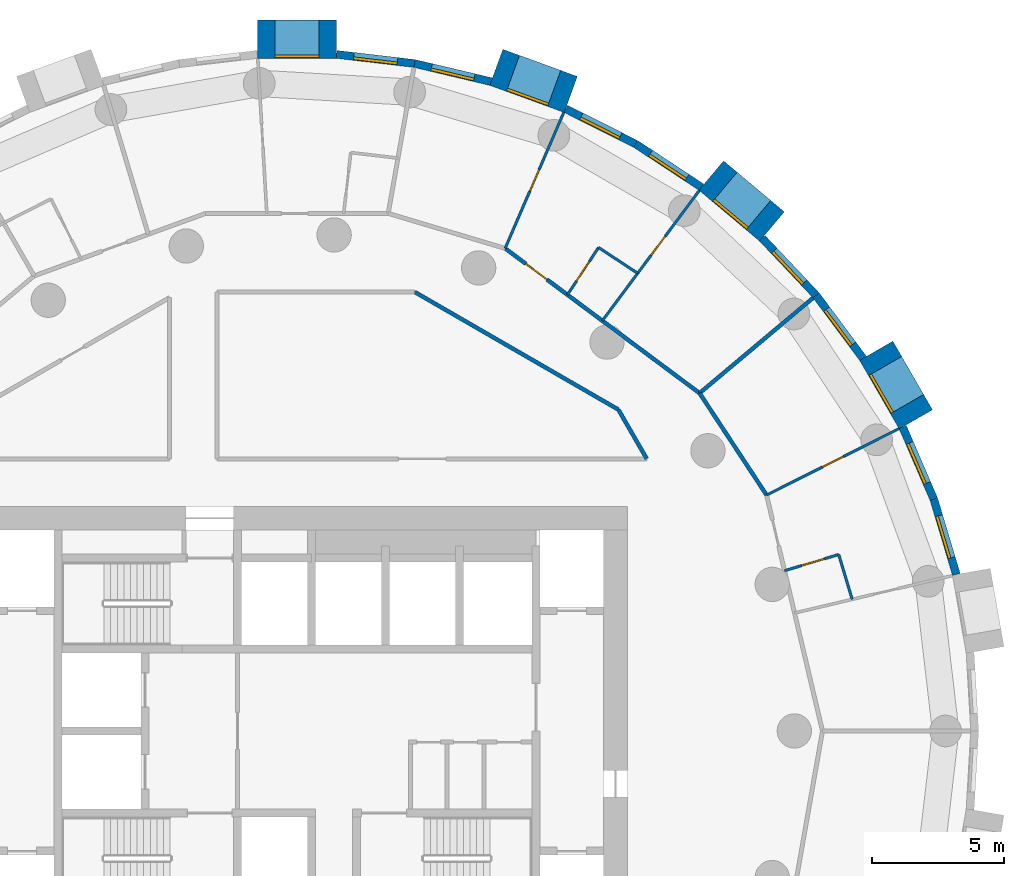
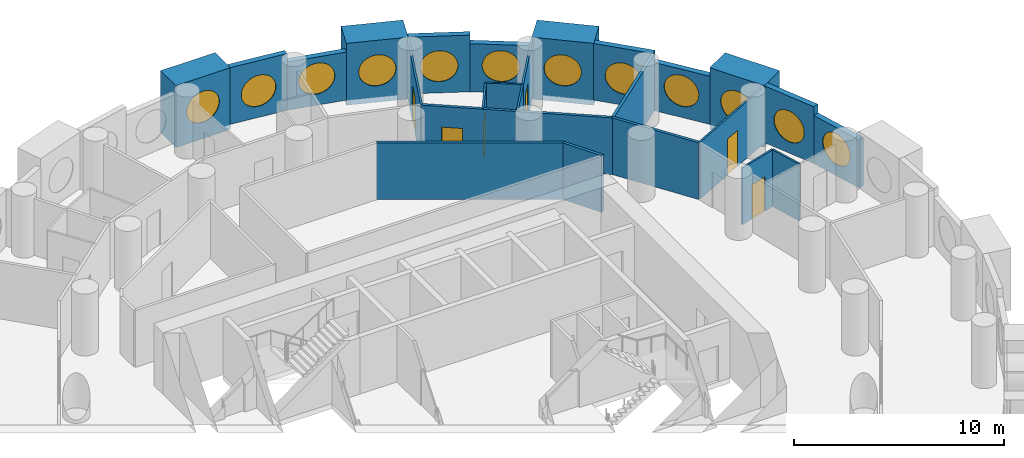
# One storey, part 7 of 9: 25 walls, 12 windows, 6 doors, 18 openings.
"""IFC4 building model written with IfcOpenShell, lengths in metres."""

from ifc_helpers import new_model, si_unit, direction, frame, frame_2d, origin, origin_2d, place, context, subcontext, project, spatial, rectangle, circle, extrude, material, layer, layer_set, type_object, element, fill, save


model = new_model("IFC4")

# Units and contexts
model_context = context("Model", 3, precision=1e-05, world=origin(), true_north=direction((0.0, 1.0)))
body_context = subcontext(model_context, "Body", "Model", "MODEL_VIEW")
ifc_project = project(units=[si_unit("LENGTHUNIT", "METRE"), si_unit("AREAUNIT", "SQUARE_METRE"), si_unit("VOLUMEUNIT", "CUBIC_METRE"), si_unit("PLANEANGLEUNIT", "RADIAN"), si_unit("MASSUNIT", "GRAM", prefix="KILO")], contexts=[model_context])

# Site, building, storey
site_placement = place(None, origin())
site = spatial("IfcSite", under=ifc_project, at=site_placement, CompositionType="ELEMENT")
building_placement = place(site_placement, origin())
building = spatial("IfcBuilding", under=site, at=building_placement, Name="Tracery Tower", CompositionType="ELEMENT")
storey_placement = place(building_placement, frame((0.0, 0.0, 172.800048828125)))
storey = spatial("IfcBuildingStorey", under=building, at=storey_placement, Name="L44", CompositionType="ELEMENT", Elevation=172.800048828125)

# Wall, opening, window
ifc_material_1 = material(Name="Precast concrete C50/60", Category="concrete")
ifc_layer_1 = layer(ifc_material_1, 1.449951171875)
ifc_layer_set_1 = layer_set([ifc_layer_1], Name="Deep-set bay unit 3000 x 3600, slab edge 300")
wall_type_1 = type_object("IfcWallType", Name="Deep-set bay unit 3000 x 3600, slab edge 300", PredefinedType="ELEMENTEDWALL", material=ifc_layer_set_1)
wall_1_placement = place(storey_placement, frame((23.421630859375, 11.79052734375, -0.300048828125), z_axis=(0.0, 0.0, 1.0), x_axis=(-0.499990139034, 0.866031096941, 0.0)))
wall_1 = element("IfcWall", 1, at=wall_1_placement, inside=storey, type_object=wall_type_1, Name="Deep-set bay unit 5 at L44", PredefinedType="ELEMENTEDWALL", context=body_context, shape_type="SweptSolid", body=[
    extrude(rectangle(XDim=3.0, YDim=1.449951171875, at=frame_2d((1.5, 0.0))), origin(), (0.0, 0.0, 1.0), 3.60009765625),
])
opening_1_placement = place(wall_1_placement, frame((1.5, 0.0, 1.85009765625)))
opening_1 = element("IfcOpeningElement", 2, at=opening_1_placement, cuts=wall_1, Name="Opening WN1", PredefinedType="OPENING", context=body_context, shape_type="SweptSolid", body=[
    extrude(circle(Radius=0.9000244140625, at=origin_2d()), frame((0.0, 0.73486328125, 0.0), z_axis=(0.0, -1.0, 0.0), x_axis=(1.0, 0.0, 0.0)), (0.0, 0.0, 1.0), 1.469970703125),
])
ifc_material_2 = material(Name="Aluminium frame with tinted double glazing", Category="aluminium")
window_type = type_object("IfcWindowType", Name="Round window 1800", PartitioningType="SINGLE_PANEL", PredefinedType="WINDOW", material=ifc_material_2)
window_1_placement = place(opening_1_placement, origin())
window_1 = element("IfcWindow", 3, at=window_1_placement, inside=storey, type_object=window_type, Name="Round window 5 at L44", OverallHeight=1.800048828125, OverallWidth=1.800048828125, PartitioningType="SINGLE_PANEL", PredefinedType="WINDOW", context=body_context, shape_type="SweptSolid", body=[
    extrude(circle(Radius=0.9000244140625, at=origin_2d()), frame((0.0, 0.69482421875, 0.0), z_axis=(0.0, -1.0, 0.0), x_axis=(1.0, 0.0, 0.0)), (0.0, 0.0, 1.0), 0.10009765625),
])
fill(opening_1, window_1)

wall_2_placement = place(storey_placement, frame((17.9765625, 19.090087890625, -0.300048828125), z_axis=(0.0, 0.0, 1.0), x_axis=(-0.766022196139, 0.642814121673, 0.0)))
wall_2 = element("IfcWall", 4, at=wall_2_placement, inside=storey, type_object=wall_type_1, Name="Deep-set bay unit 8 at L44", PredefinedType="ELEMENTEDWALL", context=body_context, shape_type="SweptSolid", body=[
    extrude(rectangle(XDim=3.0, YDim=1.449951171875, at=frame_2d((1.5, 0.0))), origin(), (0.0, 0.0, 1.0), 3.60009765625),
])
opening_2_placement = place(wall_2_placement, frame((1.5, 0.0, 1.85009765625)))
opening_2 = element("IfcOpeningElement", 5, at=opening_2_placement, cuts=wall_2, Name="Opening WN1", PredefinedType="OPENING", context=body_context, shape_type="SweptSolid", body=[
    extrude(circle(Radius=0.9000244140625, at=origin_2d()), frame((0.0, 0.73486328125, 0.0), z_axis=(0.0, -1.0, 0.0), x_axis=(1.0, 0.0, 0.0)), (0.0, 0.0, 1.0), 1.469970703125),
])
window_2_placement = place(opening_2_placement, origin())
window_2 = element("IfcWindow", 6, at=window_2_placement, inside=storey, type_object=window_type, Name="Round window 8 at L44", OverallHeight=1.800048828125, OverallWidth=1.800048828125, PartitioningType="SINGLE_PANEL", PredefinedType="WINDOW", context=body_context, shape_type="SweptSolid", body=[
    extrude(circle(Radius=0.9000244140625, at=origin_2d()), frame((0.0, 0.69482421875, 0.0), z_axis=(0.0, -1.0, 0.0), x_axis=(1.0, 0.0, 0.0)), (0.0, 0.0, 1.0), 0.10009765625),
])
fill(opening_2, window_2)

wall_3_placement = place(storey_placement, frame((10.36328125, 24.087158203125, -0.300048828125), z_axis=(0.0, 0.0, 1.0), x_axis=(-0.939686455819, 0.342037080957, 0.0)))
wall_3 = element("IfcWall", 7, at=wall_3_placement, inside=storey, type_object=wall_type_1, Name="Deep-set bay unit 11 at L44", PredefinedType="ELEMENTEDWALL", context=body_context, shape_type="SweptSolid", body=[
    extrude(rectangle(XDim=3.0, YDim=1.449951171875, at=frame_2d((1.5, 0.0))), origin(), (0.0, 0.0, 1.0), 3.60009765625),
])
opening_3_placement = place(wall_3_placement, frame((1.5, 0.0, 1.85009765625)))
opening_3 = element("IfcOpeningElement", 8, at=opening_3_placement, cuts=wall_3, Name="Opening WN1", PredefinedType="OPENING", context=body_context, shape_type="SweptSolid", body=[
    extrude(circle(Radius=0.9000244140625, at=origin_2d()), frame((0.0, 0.73486328125, 0.0), z_axis=(0.0, -1.0, 0.0), x_axis=(1.0, 0.0, 0.0)), (0.0, 0.0, 1.0), 1.469970703125),
])
window_3_placement = place(opening_3_placement, origin())
window_3 = element("IfcWindow", 9, at=window_3_placement, inside=storey, type_object=window_type, Name="Round window 11 at L44", OverallHeight=1.800048828125, OverallWidth=1.800048828125, PartitioningType="SINGLE_PANEL", PredefinedType="WINDOW", context=body_context, shape_type="SweptSolid", body=[
    extrude(circle(Radius=0.9000244140625, at=origin_2d()), frame((0.0, 0.69482421875, 0.0), z_axis=(0.0, -1.0, 0.0), x_axis=(1.0, 0.0, 0.0)), (0.0, 0.0, 1.0), 0.10009765625),
])
fill(opening_3, window_3)

wall_4_placement = place(storey_placement, frame((1.5, 26.178955078125, -0.300048828125), z_axis=(0.0, 0.0, 1.0), x_axis=(-1.0, 0.0, 0.0)))
wall_4 = element("IfcWall", 10, at=wall_4_placement, inside=storey, type_object=wall_type_1, Name="Deep-set bay unit 14 at L44", PredefinedType="ELEMENTEDWALL", context=body_context, shape_type="SweptSolid", body=[
    extrude(rectangle(XDim=3.0, YDim=1.449951171875, at=frame_2d((1.5, 0.0))), origin(), (0.0, 0.0, 1.0), 3.60009765625),
])
opening_4_placement = place(wall_4_placement, frame((1.5, 0.0, 1.85009765625)))
opening_4 = element("IfcOpeningElement", 11, at=opening_4_placement, cuts=wall_4, Name="Opening WN1", PredefinedType="OPENING", context=body_context, shape_type="SweptSolid", body=[
    extrude(circle(Radius=0.9000244140625, at=origin_2d()), frame((0.0, 0.73486328125, 0.0), z_axis=(0.0, -1.0, 0.0), x_axis=(1.0, 0.0, 0.0)), (0.0, 0.0, 1.0), 1.469970703125),
])
window_4_placement = place(opening_4_placement, origin())
window_4 = element("IfcWindow", 12, at=window_4_placement, inside=storey, type_object=window_type, Name="Round window 14 at L44", OverallHeight=1.800048828125, OverallWidth=1.800048828125, PartitioningType="SINGLE_PANEL", PredefinedType="WINDOW", context=body_context, shape_type="SweptSolid", body=[
    extrude(circle(Radius=0.9000244140625, at=origin_2d()), frame((0.0, 0.69482421875, 0.0), z_axis=(0.0, -1.0, 0.0), x_axis=(1.0, 0.0, 0.0)), (0.0, 0.0, 1.0), 0.10009765625),
])
fill(opening_4, window_4)

ifc_material_3 = material(Name="Precast concrete C50/60", Category="concrete")
ifc_layer_2 = layer(ifc_material_3, 0.300048828125)
ifc_layer_set_2 = layer_set([ifc_layer_2], Name="Facade panel 3000 x 2800")
wall_type_2 = type_object("IfcWallType", Name="Facade panel 3000 x 2800", PredefinedType="SOLIDWALL", material=ifc_layer_set_2)
wall_5_placement = place(storey_placement, frame((24.953369140625, 5.924072265625, 0.0), z_axis=(0.0, 0.0, 1.0), x_axis=(-0.286782750849, 0.957995643944, 0.0)))
wall_5 = element("IfcWall", 13, at=wall_5_placement, inside=storey, type_object=wall_type_2, Name="Facade panel 3 at L44", PredefinedType="SOLIDWALL", context=body_context, shape_type="SweptSolid", body=[
    extrude(rectangle(XDim=2.97265625, YDim=0.300048828125, at=frame_2d((1.486328125, 0.0))), origin(), (0.0, 0.0, 1.0), 2.800048828125),
])
opening_5_placement = place(wall_5_placement, frame((1.486328125, 0.0, 1.5498046875)))
opening_5 = element("IfcOpeningElement", 14, at=opening_5_placement, cuts=wall_5, Name="Opening WN1", PredefinedType="OPENING", context=body_context, shape_type="SweptSolid", body=[
    extrude(circle(Radius=0.9000244140625, at=origin_2d()), frame((0.0, 0.159912109375, 0.0), z_axis=(0.0, -1.0, 0.0), x_axis=(1.0, 0.0, 0.0)), (0.0, 0.0, 1.0), 0.320068359375),
])
window_5_placement = place(opening_5_placement, origin())
window_5 = element("IfcWindow", 15, at=window_5_placement, inside=storey, type_object=window_type, Name="Round window 3 at L44", OverallHeight=1.800048828125, OverallWidth=1.800048828125, PartitioningType="SINGLE_PANEL", PredefinedType="WINDOW", context=body_context, shape_type="SweptSolid", body=[
    extrude(circle(Radius=0.9000244140625, at=origin_2d()), frame((0.0, 0.1201171875, 0.0), z_axis=(0.0, -1.0, 0.0), x_axis=(1.0, 0.0, 0.0)), (0.0, 0.0, 1.0), 0.10009765625),
])
fill(opening_5, window_5)

wall_6_placement = place(storey_placement, frame((21.42236328125, 14.101318359375, 0.0), z_axis=(0.0, 0.0, 1.0), x_axis=(-0.597197580538, 0.80209416517, 0.0)))
wall_6 = element("IfcWall", 16, at=wall_6_placement, inside=storey, type_object=wall_type_2, Name="Facade panel 6 at L44", PredefinedType="SOLIDWALL", context=body_context, shape_type="SweptSolid", body=[
    extrude(rectangle(XDim=2.972900390625, YDim=0.300048828125, at=frame_2d((1.486328125, 0.0))), origin(), (0.0, 0.0, 1.0), 2.800048828125),
])
opening_6_placement = place(wall_6_placement, frame((1.486328125, 0.0, 1.5498046875)))
opening_6 = element("IfcOpeningElement", 17, at=opening_6_placement, cuts=wall_6, Name="Opening WN1", PredefinedType="OPENING", context=body_context, shape_type="SweptSolid", body=[
    extrude(circle(Radius=0.9000244140625, at=origin_2d()), frame((0.0, 0.159912109375, 0.0), z_axis=(0.0, -1.0, 0.0), x_axis=(1.0, 0.0, 0.0)), (0.0, 0.0, 1.0), 0.320068359375),
])
window_6_placement = place(opening_6_placement, origin())
window_6 = element("IfcWindow", 18, at=window_6_placement, inside=storey, type_object=window_type, Name="Round window 6 at L44", OverallHeight=1.800048828125, OverallWidth=1.800048828125, PartitioningType="SINGLE_PANEL", PredefinedType="WINDOW", context=body_context, shape_type="SweptSolid", body=[
    extrude(circle(Radius=0.9000244140625, at=origin_2d()), frame((0.0, 0.1201171875, 0.0), z_axis=(0.0, -1.0, 0.0), x_axis=(1.0, 0.0, 0.0)), (0.0, 0.0, 1.0), 0.10009765625),
])
fill(opening_6, window_6)

wall_7_placement = place(storey_placement, frame((15.3076171875, 20.57763671875, 0.0), z_axis=(0.0, 0.0, 1.0), x_axis=(-0.835470659512, 0.549535055382, 0.0)))
wall_7 = element("IfcWall", 19, at=wall_7_placement, inside=storey, type_object=wall_type_2, Name="Facade panel 9 at L44", PredefinedType="SOLIDWALL", context=body_context, shape_type="SweptSolid", body=[
    extrude(rectangle(XDim=2.97314453125, YDim=0.300048828125, at=frame_2d((1.486572265625, 0.0))), origin(), (0.0, 0.0, 1.0), 2.800048828125),
])
opening_7_placement = place(wall_7_placement, frame((1.486328125, 0.0, 1.5498046875)))
opening_7 = element("IfcOpeningElement", 20, at=opening_7_placement, cuts=wall_7, Name="Opening WN1", PredefinedType="OPENING", context=body_context, shape_type="SweptSolid", body=[
    extrude(circle(Radius=0.9000244140625, at=origin_2d()), frame((0.0, 0.159912109375, 0.0), z_axis=(0.0, -1.0, 0.0), x_axis=(1.0, 0.0, 0.0)), (0.0, 0.0, 1.0), 0.320068359375),
])
window_7_placement = place(opening_7_placement, origin())
window_7 = element("IfcWindow", 21, at=window_7_placement, inside=storey, type_object=window_type, Name="Round window 9 at L44", OverallHeight=1.800048828125, OverallWidth=1.800048828125, PartitioningType="SINGLE_PANEL", PredefinedType="WINDOW", context=body_context, shape_type="SweptSolid", body=[
    extrude(circle(Radius=0.9000244140625, at=origin_2d()), frame((0.0, 0.1201171875, 0.0), z_axis=(0.0, -1.0, 0.0), x_axis=(1.0, 0.0, 0.0)), (0.0, 0.0, 1.0), 0.10009765625),
])
fill(opening_7, window_7)

wall_8_placement = place(storey_placement, frame((7.346435546875, 24.572265625, 0.0), z_axis=(0.0, 0.0, 1.0), x_axis=(-0.973049746156, 0.230595298102, 0.0)))
wall_8 = element("IfcWall", 22, at=wall_8_placement, inside=storey, type_object=wall_type_2, Name="Facade panel 12 at L44", PredefinedType="SOLIDWALL", context=body_context, shape_type="SweptSolid", body=[
    extrude(rectangle(XDim=2.972900390625, YDim=0.300048828125, at=frame_2d((1.486328125, 0.0))), origin(), (0.0, 0.0, 1.0), 2.800048828125),
])
opening_8_placement = place(wall_8_placement, frame((1.486328125, 0.0, 1.5498046875)))
opening_8 = element("IfcOpeningElement", 23, at=opening_8_placement, cuts=wall_8, Name="Opening WN1", PredefinedType="OPENING", context=body_context, shape_type="SweptSolid", body=[
    extrude(circle(Radius=0.9000244140625, at=origin_2d()), frame((0.0, 0.159912109375, 0.0), z_axis=(0.0, -1.0, 0.0), x_axis=(1.0, 0.0, 0.0)), (0.0, 0.0, 1.0), 0.320068359375),
])
window_8_placement = place(opening_8_placement, origin())
window_8 = element("IfcWindow", 24, at=window_8_placement, inside=storey, type_object=window_type, Name="Round window 12 at L44", OverallHeight=1.800048828125, OverallWidth=1.800048828125, PartitioningType="SINGLE_PANEL", PredefinedType="WINDOW", context=body_context, shape_type="SweptSolid", body=[
    extrude(circle(Radius=0.9000244140625, at=origin_2d()), frame((0.0, 0.1201171875, 0.0), z_axis=(0.0, -1.0, 0.0), x_axis=(1.0, 0.0, 0.0)), (0.0, 0.0, 1.0), 0.10009765625),
])
fill(opening_8, window_8)

ifc_material_4 = material(Name="Precast concrete C50/60", Category="concrete")
ifc_layer_3 = layer(ifc_material_4, 0.300048828125)
ifc_layer_set_3 = layer_set([ifc_layer_3], Name="Facade panel 3000 x 3300")
wall_type_3 = type_object("IfcWallType", Name="Facade panel 3000 x 3300", PredefinedType="SOLIDWALL", material=ifc_layer_set_3)
wall_9_placement = place(storey_placement, frame((24.100830078125, 8.77197265625, 0.0), z_axis=(0.0, 0.0, 1.0), x_axis=(-0.396148129016, 0.918186614952, 0.0)))
wall_9 = element("IfcWall", 25, at=wall_9_placement, inside=storey, type_object=wall_type_3, Name="Facade panel 4 at L44", PredefinedType="SOLIDWALL", context=body_context, shape_type="SweptSolid", body=[
    extrude(rectangle(XDim=2.972900390625, YDim=0.300048828125, at=frame_2d((1.486328125, 0.0))), origin(), (0.0, 0.0, 1.0), 3.300048828125),
])
opening_9_placement = place(wall_9_placement, frame((1.486328125, 0.0, 1.5498046875)))
opening_9 = element("IfcOpeningElement", 26, at=opening_9_placement, cuts=wall_9, Name="Opening WN1", PredefinedType="OPENING", context=body_context, shape_type="SweptSolid", body=[
    extrude(circle(Radius=0.9000244140625, at=origin_2d()), frame((0.0, 0.159912109375, 0.0), z_axis=(0.0, -1.0, 0.0), x_axis=(1.0, 0.0, 0.0)), (0.0, 0.0, 1.0), 0.320068359375),
])
window_9_placement = place(opening_9_placement, origin())
window_9 = element("IfcWindow", 27, at=window_9_placement, inside=storey, type_object=window_type, Name="Round window 4 at L44", OverallHeight=1.800048828125, OverallWidth=1.800048828125, PartitioningType="SINGLE_PANEL", PredefinedType="WINDOW", context=body_context, shape_type="SweptSolid", body=[
    extrude(circle(Radius=0.9000244140625, at=origin_2d()), frame((0.0, 0.1201171875, 0.0), z_axis=(0.0, -1.0, 0.0), x_axis=(1.0, 0.0, 0.0)), (0.0, 0.0, 1.0), 0.10009765625),
])
fill(opening_9, window_9)

wall_10_placement = place(storey_placement, frame((19.64697265625, 16.48583984375, 0.0), z_axis=(0.0, 0.0, 1.0), x_axis=(-0.686235184166, 0.727379730273, 0.0)))
wall_10 = element("IfcWall", 28, at=wall_10_placement, inside=storey, type_object=wall_type_3, Name="Facade panel 7 at L44", PredefinedType="SOLIDWALL", context=body_context, shape_type="SweptSolid", body=[
    extrude(rectangle(XDim=2.972900390625, YDim=0.300048828125, at=frame_2d((1.486328125, 0.0))), origin(), (0.0, 0.0, 1.0), 3.300048828125),
])
opening_10_placement = place(wall_10_placement, frame((1.486328125, 0.0, 1.5498046875)))
opening_10 = element("IfcOpeningElement", 29, at=opening_10_placement, cuts=wall_10, Name="Opening WN1", PredefinedType="OPENING", context=body_context, shape_type="SweptSolid", body=[
    extrude(circle(Radius=0.9000244140625, at=origin_2d()), frame((0.0, 0.159912109375, 0.0), z_axis=(0.0, -1.0, 0.0), x_axis=(1.0, 0.0, 0.0)), (0.0, 0.0, 1.0), 0.320068359375),
])
window_10_placement = place(opening_10_placement, origin())
window_10 = element("IfcWindow", 30, at=window_10_placement, inside=storey, type_object=window_type, Name="Round window 7 at L44", OverallHeight=1.800048828125, OverallWidth=1.800048828125, PartitioningType="SINGLE_PANEL", PredefinedType="WINDOW", context=body_context, shape_type="SweptSolid", body=[
    extrude(circle(Radius=0.9000244140625, at=origin_2d()), frame((0.0, 0.1201171875, 0.0), z_axis=(0.0, -1.0, 0.0), x_axis=(1.0, 0.0, 0.0)), (0.0, 0.0, 1.0), 0.10009765625),
])
fill(opening_10, window_10)

wall_11_placement = place(storey_placement, frame((12.82373046875, 22.21142578125, 0.0), z_axis=(0.0, 0.0, 1.0), x_axis=(-0.893637442555, 0.448789618045, 0.0)))
wall_11 = element("IfcWall", 31, at=wall_11_placement, inside=storey, type_object=wall_type_3, Name="Facade panel 10 at L44", PredefinedType="SOLIDWALL", context=body_context, shape_type="SweptSolid", body=[
    extrude(rectangle(XDim=2.972900390625, YDim=0.300048828125, at=frame_2d((1.486328125, 0.0))), origin(), (0.0, 0.0, 1.0), 3.300048828125),
])
opening_11_placement = place(wall_11_placement, frame((1.486328125, 0.0, 1.5498046875)))
opening_11 = element("IfcOpeningElement", 32, at=opening_11_placement, cuts=wall_11, Name="Opening WN1", PredefinedType="OPENING", context=body_context, shape_type="SweptSolid", body=[
    extrude(circle(Radius=0.9000244140625, at=origin_2d()), frame((0.0, 0.159912109375, 0.0), z_axis=(0.0, -1.0, 0.0), x_axis=(1.0, 0.0, 0.0)), (0.0, 0.0, 1.0), 0.320068359375),
])
window_11_placement = place(opening_11_placement, origin())
window_11 = element("IfcWindow", 33, at=window_11_placement, inside=storey, type_object=window_type, Name="Round window 10 at L44", OverallHeight=1.800048828125, OverallWidth=1.800048828125, PartitioningType="SINGLE_PANEL", PredefinedType="WINDOW", context=body_context, shape_type="SweptSolid", body=[
    extrude(circle(Radius=0.9000244140625, at=origin_2d()), frame((0.0, 0.1201171875, 0.0), z_axis=(0.0, -1.0, 0.0), x_axis=(1.0, 0.0, 0.0)), (0.0, 0.0, 1.0), 0.10009765625),
])
fill(opening_11, window_11)

wall_12_placement = place(storey_placement, frame((4.45361328125, 25.2578125, 0.0), z_axis=(0.0, 0.0, 1.0), x_axis=(-0.993235542767, 0.116116995244, 0.0)))
wall_12 = element("IfcWall", 34, at=wall_12_placement, inside=storey, type_object=wall_type_3, Name="Facade panel 13 at L44", PredefinedType="SOLIDWALL", context=body_context, shape_type="SweptSolid", body=[
    extrude(rectangle(XDim=2.972900390625, YDim=0.300048828125, at=frame_2d((1.486328125, 0.0))), origin(), (0.0, 0.0, 1.0), 3.300048828125),
])
opening_12_placement = place(wall_12_placement, frame((1.486328125, 0.0, 1.5498046875)))
opening_12 = element("IfcOpeningElement", 35, at=opening_12_placement, cuts=wall_12, Name="Opening WN1", PredefinedType="OPENING", context=body_context, shape_type="SweptSolid", body=[
    extrude(circle(Radius=0.9000244140625, at=origin_2d()), frame((0.0, 0.159912109375, 0.0), z_axis=(0.0, -1.0, 0.0), x_axis=(1.0, 0.0, 0.0)), (0.0, 0.0, 1.0), 0.320068359375),
])
window_12_placement = place(opening_12_placement, origin())
window_12 = element("IfcWindow", 36, at=window_12_placement, inside=storey, type_object=window_type, Name="Round window 13 at L44", OverallHeight=1.800048828125, OverallWidth=1.800048828125, PartitioningType="SINGLE_PANEL", PredefinedType="WINDOW", context=body_context, shape_type="SweptSolid", body=[
    extrude(circle(Radius=0.9000244140625, at=origin_2d()), frame((0.0, 0.1201171875, 0.0), z_axis=(0.0, -1.0, 0.0), x_axis=(1.0, 0.0, 0.0)), (0.0, 0.0, 1.0), 0.10009765625),
])
fill(opening_12, window_12)

# Wall, opening, door
ifc_material_5 = material(Name="Plasterboard on steel studs", Category="steel")
ifc_layer_4 = layer(ifc_material_5, 0.10009765625)
ifc_layer_set_4 = layer_set([ifc_layer_4], Name="Partition 100 stud")
wall_type_4 = type_object("IfcWallType", Name="Partition 100 stud", PredefinedType="PARTITIONING", material=ifc_layer_set_4)
wall_13_placement = place(storey_placement, frame((17.77197265625, 8.926025390625, 0.0), z_axis=(0.0, 0.0, 1.0), x_axis=(0.893668599189, 0.44872757306, 0.0)))
wall_13 = element("IfcWall", 37, at=wall_13_placement, inside=storey, type_object=wall_type_4, Name="Stud partition RB5-040", PredefinedType="PARTITIONING", context=body_context, shape_type="SweptSolid", body=[
    extrude(rectangle(XDim=5.609375, YDim=0.10009765625, at=frame_2d((2.8046875, 0.0))), origin(), (0.0, 0.0, 1.0), 3.300048828125),
])
opening_13_placement = place(wall_13_placement, frame((2.35498046875, 0.0, 0.0)))
opening_13 = element("IfcOpeningElement", 38, at=opening_13_placement, cuts=wall_13, Name="Opening RB5-06", PredefinedType="OPENING", context=body_context, shape_type="SweptSolid", body=[
    extrude(rectangle(XDim=0.89990234375, YDim=2.10009765625, at=frame_2d((0.449951171875, 1.050048828125))), frame((0.0, 0.050048828125, 0.0), z_axis=(0.0, -1.0, 0.0), x_axis=(1.0, 0.0, 0.0)), (0.0, 0.0, 1.0), 0.10009765625),
])
ifc_material_6 = material(Name="Timber door leaf", Category="wood")
door_type_1 = type_object("IfcDoorType", Name="Door bedroom 900", OperationType="NOTDEFINED", PredefinedType="DOOR", material=ifc_material_6)
door_1_placement = place(opening_13_placement, origin())
door_1 = element("IfcDoor", 39, at=door_1_placement, inside=storey, type_object=door_type_1, Name="Bedroom door RB5-06", OperationType="SINGLE_SWING_RIGHT", OverallHeight=2.10009765625, OverallWidth=0.89990234375, PredefinedType="DOOR", context=body_context, shape_type="SweptSolid", body=[
    extrude(rectangle(XDim=0.89990234375, YDim=2.10009765625, at=frame_2d((0.449951171875, 1.050048828125))), frame((0.0, 0.02490234375, 0.0), z_axis=(0.0, -1.0, 0.0), x_axis=(1.0, 0.0, 0.0)), (0.0, 0.0, 1.0), 0.050048828125),
])
fill(opening_13, door_1)

wall_14_placement = place(storey_placement, frame((12.89404296875, 17.320068359375, 0.0), z_axis=(0.0, 0.0, 1.0), x_axis=(0.597235338427, 0.802066051229, 0.0)))
wall_14 = element("IfcWall", 40, at=wall_14_placement, inside=storey, type_object=wall_type_4, Name="Stud partition RB5-046", PredefinedType="PARTITIONING", context=body_context, shape_type="SweptSolid", body=[
    extrude(rectangle(XDim=3.90478515625, YDim=0.10009765625, at=frame_2d((1.952392578125, 0.0))), origin(), (0.0, 0.0, 1.0), 3.300048828125),
])
opening_14_placement = place(wall_14_placement, frame((0.852783203125, 0.0, 0.0)))
opening_14 = element("IfcOpeningElement", 41, at=opening_14_placement, cuts=wall_14, Name="Opening RB5-09", PredefinedType="OPENING", context=body_context, shape_type="SweptSolid", body=[
    extrude(rectangle(XDim=0.89990234375, YDim=2.10009765625, at=frame_2d((0.449951171875, 1.050048828125))), frame((0.0, 0.050048828125, 0.0), z_axis=(0.0, -1.0, 0.0), x_axis=(1.0, 0.0, 0.0)), (0.0, 0.0, 1.0), 0.10009765625),
])
door_2_placement = place(opening_14_placement, origin())
door_2 = element("IfcDoor", 42, at=door_2_placement, inside=storey, type_object=door_type_1, Name="Bedroom door RB5-09", OperationType="SINGLE_SWING_RIGHT", OverallHeight=2.10009765625, OverallWidth=0.89990234375, PredefinedType="DOOR", context=body_context, shape_type="SweptSolid", body=[
    extrude(rectangle(XDim=0.89990234375, YDim=2.10009765625, at=frame_2d((0.449951171875, 1.050048828125))), frame((0.0, 0.02490234375, 0.0), z_axis=(0.0, -1.0, 0.0), x_axis=(1.0, 0.0, 0.0)), (0.0, 0.0, 1.0), 0.050048828125),
])
fill(opening_14, door_2)

wall_15_placement = place(storey_placement, frame((7.876953125, 18.260986328125, 0.0), z_axis=(0.0, 0.0, 1.0), x_axis=(0.39610837783, 0.91820376443, 0.0)))
wall_15 = element("IfcWall", 43, at=wall_15_placement, inside=storey, type_object=wall_type_4, Name="Stud partition RB5-047", PredefinedType="PARTITIONING", context=body_context, shape_type="SweptSolid", body=[
    extrude(rectangle(XDim=5.610107421875, YDim=0.10009765625, at=frame_2d((2.80517578125, 0.0))), origin(), (0.0, 0.0, 1.0), 3.300048828125),
])
opening_15_placement = place(wall_15_placement, frame((2.35498046875, 0.0, 0.0)))
opening_15 = element("IfcOpeningElement", 44, at=opening_15_placement, cuts=wall_15, Name="Opening RB5-10", PredefinedType="OPENING", context=body_context, shape_type="SweptSolid", body=[
    extrude(rectangle(XDim=0.89990234375, YDim=2.10009765625, at=frame_2d((0.449951171875, 1.050048828125))), frame((0.0, 0.050048828125, 0.0), z_axis=(0.0, -1.0, 0.0), x_axis=(1.0, 0.0, 0.0)), (0.0, 0.0, 1.0), 0.10009765625),
])
door_3_placement = place(opening_15_placement, origin())
door_3 = element("IfcDoor", 45, at=door_3_placement, inside=storey, type_object=door_type_1, Name="Bedroom door RB5-10", OperationType="SINGLE_SWING_RIGHT", OverallHeight=2.10009765625, OverallWidth=0.89990234375, PredefinedType="DOOR", context=body_context, shape_type="SweptSolid", body=[
    extrude(rectangle(XDim=0.89990234375, YDim=2.10009765625, at=frame_2d((0.449951171875, 1.050048828125))), frame((0.0, 0.02490234375, 0.0), z_axis=(0.0, -1.0, 0.0), x_axis=(1.0, 0.0, 0.0)), (0.0, 0.0, 1.0), 0.050048828125),
])
fill(opening_15, door_3)

# Wall
ifc_material_7 = material(Name="Plasterboard on steel studs", Category="steel")
ifc_layer_5 = layer(ifc_material_7, 0.10009765625)
ifc_layer_set_5 = layer_set([ifc_layer_5], Name="Partition 100 wet wall")
wall_type_5 = type_object("IfcWallType", Name="Partition 100 wet wall", PredefinedType="PARTITIONING", material=ifc_layer_set_5)
wall_16_placement = place(storey_placement, frame((20.501953125, 6.677978515625, 0.0), z_axis=(0.0, 0.0, 1.0), x_axis=(0.287158348986, -0.957883125756, 0.0)))
element("IfcWall", 46, at=wall_16_placement, inside=storey, type_object=wall_type_5, Name="Wet wall RB5-041", PredefinedType="PARTITIONING", context=body_context, shape_type="SweptSolid", body=[
    extrude(rectangle(XDim=1.772705078125, YDim=0.10009765625, at=frame_2d((0.88623046875, 0.0))), origin(), (0.0, 0.0, 1.0), 3.300048828125),
])

# Wall, opening, door
wall_17_placement = place(storey_placement, frame((18.450927734375, 6.06396484375, 0.0), z_axis=(0.0, 0.0, 1.0), x_axis=(0.957992466662, 0.28679336432, 0.0)))
wall_17 = element("IfcWall", 47, at=wall_17_placement, inside=storey, type_object=wall_type_5, Name="Wet wall RB5-042", PredefinedType="PARTITIONING", context=body_context, shape_type="SweptSolid", body=[
    extrude(rectangle(XDim=2.140869140625, YDim=0.10009765625, at=frame_2d((1.0703125, 0.0))), origin(), (0.0, 0.0, 1.0), 3.300048828125),
])
opening_16_placement = place(wall_17_placement, frame((0.6708984375, 0.0, 0.0)))
opening_16 = element("IfcOpeningElement", 48, at=opening_16_placement, cuts=wall_17, Name="Opening RB5-07", PredefinedType="OPENING", context=body_context, shape_type="SweptSolid", body=[
    extrude(rectangle(XDim=0.89990234375, YDim=2.0, at=frame_2d((0.449951171875, 1.0))), frame((0.0, 0.050048828125, 0.0), z_axis=(0.0, -1.0, 0.0), x_axis=(1.0, 0.0, 0.0)), (0.0, 0.0, 1.0), 0.10009765625),
])
ifc_material_8 = material(Name="Timber door leaf", Category="wood")
door_type_2 = type_object("IfcDoorType", Name="Door shower room 900", OperationType="NOTDEFINED", PredefinedType="DOOR", material=ifc_material_8)
door_4_placement = place(opening_16_placement, origin())
door_4 = element("IfcDoor", 49, at=door_4_placement, inside=storey, type_object=door_type_2, Name="Shower room door RB5-07", OperationType="SINGLE_SWING_LEFT", OverallHeight=2.0, OverallWidth=0.89990234375, PredefinedType="DOOR", context=body_context, shape_type="SweptSolid", body=[
    extrude(rectangle(XDim=0.89990234375, YDim=2.0, at=frame_2d((0.449951171875, 1.0))), frame((0.0, 0.02490234375, 0.0), z_axis=(0.0, -1.0, 0.0), x_axis=(1.0, 0.0, 0.0)), (0.0, 0.0, 1.0), 0.050048828125),
])
fill(opening_16, door_4)

# Wall
wall_18_placement = place(storey_placement, frame((11.4130859375, 18.2939453125, 0.0), z_axis=(0.0, 0.0, 1.0), x_axis=(0.835530238932, -0.549444464738, 0.0)))
element("IfcWall", 50, at=wall_18_placement, inside=storey, type_object=wall_type_5, Name="Wet wall RB5-048", PredefinedType="PARTITIONING", context=body_context, shape_type="SweptSolid", body=[
    extrude(rectangle(XDim=1.7724609375, YDim=0.10009765625, at=frame_2d((0.88623046875, 0.0))), origin(), (0.0, 0.0, 1.0), 3.300048828125),
])

# Wall, opening, door
wall_19_placement = place(storey_placement, frame((10.236083984375, 16.5048828125, 0.0), z_axis=(0.0, 0.0, 1.0), x_axis=(0.5496123138, 0.835419837279, 0.0)))
wall_19 = element("IfcWall", 51, at=wall_19_placement, inside=storey, type_object=wall_type_5, Name="Wet wall RB5-049", PredefinedType="PARTITIONING", context=body_context, shape_type="SweptSolid", body=[
    extrude(rectangle(XDim=2.1416015625, YDim=0.10009765625, at=frame_2d((1.07080078125, 0.0))), origin(), (0.0, 0.0, 1.0), 3.300048828125),
])
opening_17_placement = place(wall_19_placement, frame((0.62060546875, 0.0, 0.0)))
opening_17 = element("IfcOpeningElement", 52, at=opening_17_placement, cuts=wall_19, Name="Opening RB5-11", PredefinedType="OPENING", context=body_context, shape_type="SweptSolid", body=[
    extrude(rectangle(XDim=0.89990234375, YDim=2.0, at=frame_2d((0.449951171875, 1.0))), frame((0.0, 0.050048828125, 0.0), z_axis=(0.0, -1.0, 0.0), x_axis=(1.0, 0.0, 0.0)), (0.0, 0.0, 1.0), 0.10009765625),
])
door_5_placement = place(opening_17_placement, origin())
door_5 = element("IfcDoor", 53, at=door_5_placement, inside=storey, type_object=door_type_2, Name="Shower room door RB5-11", OperationType="SINGLE_SWING_RIGHT", OverallHeight=2.0, OverallWidth=0.89990234375, PredefinedType="DOOR", context=body_context, shape_type="SweptSolid", body=[
    extrude(rectangle(XDim=0.89990234375, YDim=2.0, at=frame_2d((0.449951171875, 1.0))), frame((0.0, 0.02490234375, 0.0), z_axis=(0.0, -1.0, 0.0), x_axis=(1.0, 0.0, 0.0)), (0.0, 0.0, 1.0), 0.050048828125),
])
fill(opening_17, door_5)

# Walls
wall_20_placement = place(storey_placement, frame((11.555908203125, 15.52197265625, 0.0), z_axis=(0.0, 0.0, 1.0), x_axis=(0.596950542241, 0.802278037914, 0.0)))
element("IfcWall", 54, at=wall_20_placement, inside=storey, type_object=wall_type_5, Name="Wet wall RB5-050", PredefinedType="PARTITIONING", context=body_context, shape_type="SweptSolid", body=[
    extrude(rectangle(XDim=2.244873046875, YDim=0.10009765625, at=frame_2d((1.12255859375, 0.0))), origin(), (0.0, 0.0, 1.0), 3.300048828125),
])
ifc_material_9 = material(Name="Plasterboard on steel studs", Category="steel")
ifc_layer_6 = layer(ifc_material_9, 0.14990234375)
ifc_layer_set_6 = layer_set([ifc_layer_6], Name="Partition 150 acoustic unit wall")
wall_type_6 = type_object("IfcWallType", Name="Partition 150 acoustic unit wall", PredefinedType="PARTITIONING", material=ifc_layer_set_6)
wall_21_placement = place(storey_placement, frame((15.235107421875, 12.783935546875, 0.0), z_axis=(0.0, 0.0, 1.0), x_axis=(0.76609059793, 0.642732600514, 0.0)))
element("IfcWall", 55, at=wall_21_placement, inside=storey, type_object=wall_type_6, Name="Unit wall RB5-045", PredefinedType="PARTITIONING", context=body_context, shape_type="SweptSolid", body=[
    extrude(rectangle(XDim=5.60888671875, YDim=0.14990234375, at=frame_2d((2.804443359375, 0.0))), origin(), (0.0, 0.0, 1.0), 3.300048828125),
])
ifc_material_10 = material(Name="Plasterboard on steel studs", Category="steel")
ifc_layer_7 = layer(ifc_material_10, 0.14990234375)
ifc_layer_set_7 = layer_set([ifc_layer_7], Name="Partition 150 corridor wall")
wall_type_7 = type_object("IfcWallType", Name="Partition 150 corridor wall", PredefinedType="PARTITIONING", material=ifc_layer_set_7)
wall_22_placement = place(storey_placement, frame((12.162109375, 12.162109375, 0.0), z_axis=(0.0, 0.0, 1.0), x_axis=(0.499961633463, -0.866047553582, 0.0)))
element("IfcWall", 56, at=wall_22_placement, inside=storey, type_object=wall_type_7, Name="Corridor wall RB5-005", PredefinedType="PARTITIONING", context=body_context, shape_type="SweptSolid", body=[
    extrude(rectangle(XDim=2.150146484375, YDim=0.14990234375, at=frame_2d((1.0751953125, 0.0))), origin(), (0.0, 0.0, 1.0), 3.300048828125),
])
wall_23_placement = place(storey_placement, frame((15.235107421875, 12.783935546875, 0.0), z_axis=(0.0, 0.0, 1.0), x_axis=(0.54943003049, -0.83553973071, 0.0)))
element("IfcWall", 57, at=wall_23_placement, inside=storey, type_object=wall_type_7, Name="Corridor wall RB5-008", PredefinedType="PARTITIONING", context=body_context, shape_type="SweptSolid", body=[
    extrude(rectangle(XDim=4.6171875, YDim=0.14990234375, at=frame_2d((2.30859375, 0.0))), origin(), (0.0, 0.0, 1.0), 3.300048828125),
])

# Wall, opening, door
wall_24_placement = place(storey_placement, frame((7.87744140625, 18.26171875, 0.0), z_axis=(0.0, 0.0, 1.0), x_axis=(0.802112550244, -0.597172886811, 0.0)))
wall_24 = element("IfcWall", 58, at=wall_24_placement, inside=storey, type_object=wall_type_7, Name="Corridor wall RB5-009", PredefinedType="PARTITIONING", context=body_context, shape_type="SweptSolid", body=[
    extrude(rectangle(XDim=9.1728515625, YDim=0.14990234375, at=frame_2d((4.58642578125, 0.0))), origin(), (0.0, 0.0, 1.0), 3.300048828125),
])
opening_18_placement = place(wall_24_placement, frame((0.971923828125, 0.0, 0.0)))
opening_18 = element("IfcOpeningElement", 59, at=opening_18_placement, cuts=wall_24, Name="Opening RB5-12", PredefinedType="OPENING", context=body_context, shape_type="SweptSolid", body=[
    extrude(rectangle(XDim=1.0, YDim=2.10009765625, at=frame_2d((0.5, 1.050048828125))), frame((0.0, 0.074951171875, 0.0), z_axis=(0.0, -1.0, 0.0), x_axis=(1.0, 0.0, 0.0)), (0.0, 0.0, 1.0), 0.14990234375),
])
ifc_material_11 = material(Name="Timber door leaf", Category="wood")
door_type_3 = type_object("IfcDoorType", Name="Door unit entrance 1000", OperationType="NOTDEFINED", PredefinedType="DOOR", material=ifc_material_11)
door_6_placement = place(opening_18_placement, origin())
door_6 = element("IfcDoor", 60, at=door_6_placement, inside=storey, type_object=door_type_3, Name="Unit entrance door RB5-12", OperationType="SINGLE_SWING_LEFT", OverallHeight=2.10009765625, OverallWidth=1.0, PredefinedType="DOOR", context=body_context, shape_type="SweptSolid", body=[
    extrude(rectangle(XDim=1.0, YDim=2.10009765625, at=frame_2d((0.5, 1.050048828125))), frame((0.0, 0.02490234375, 0.0), z_axis=(0.0, -1.0, 0.0), x_axis=(1.0, 0.0, 0.0)), (0.0, 0.0, 1.0), 0.050048828125),
])
fill(opening_18, door_6)

# Wall
wall_25_placement = place(storey_placement, frame((4.451904296875, 16.614013671875, 0.0), z_axis=(0.0, 0.0, 1.0), x_axis=(0.866005203721, -0.500034985904, 0.0)))
element("IfcWall", 61, at=wall_25_placement, inside=storey, type_object=wall_type_7, Name="Corridor wall RB5-015", PredefinedType="PARTITIONING", context=body_context, shape_type="SweptSolid", body=[
    extrude(rectangle(XDim=8.903076171875, YDim=0.14990234375, at=frame_2d((4.45166015625, 0.0))), origin(), (0.0, 0.0, 1.0), 3.300048828125),
])

save(model, "model.ifc")
